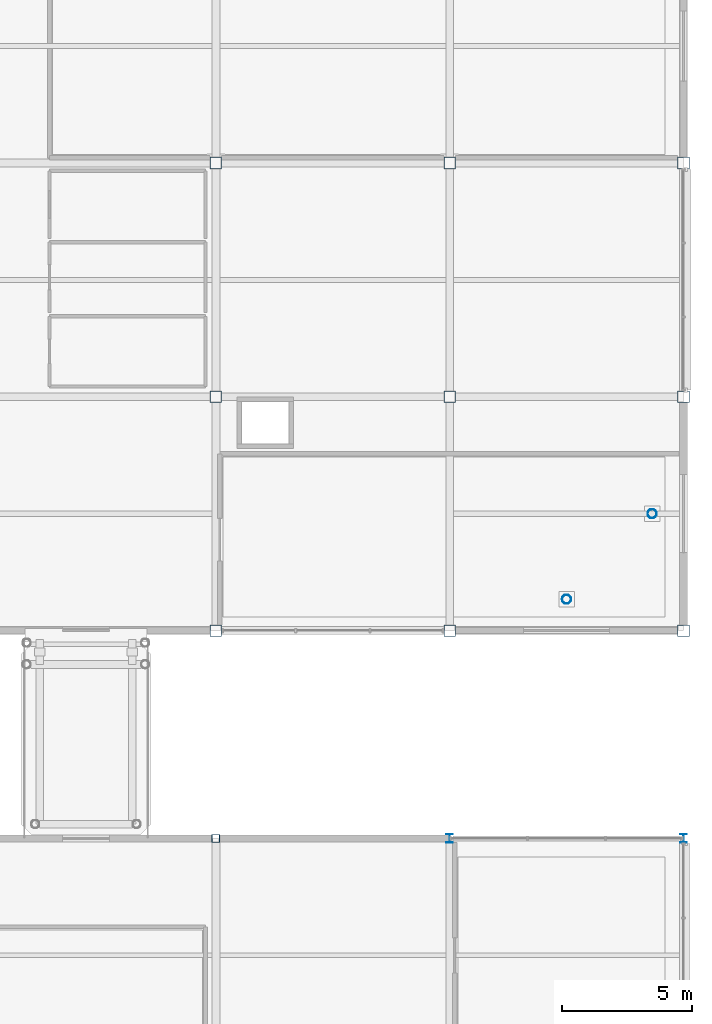
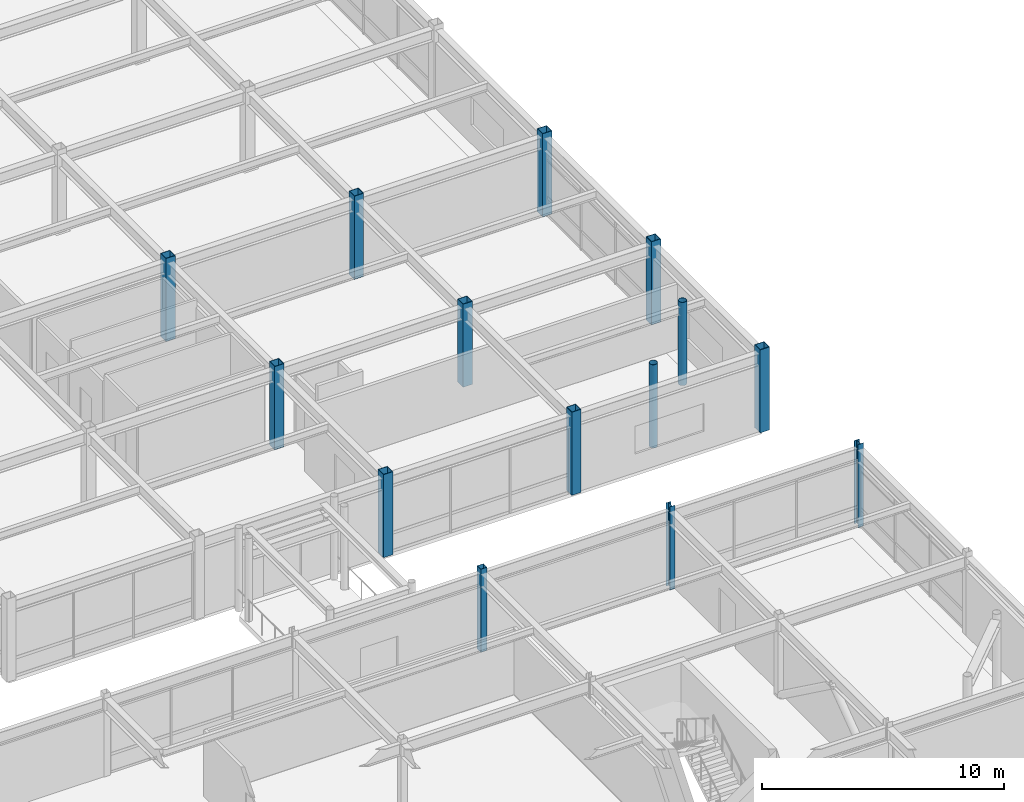
# One storey, part 20 of 108: 14 columns.
"""IFC4 building model written with IfcOpenShell, lengths in metres."""

from ifc_helpers import new_model, si_unit, direction, frame, origin, origin_2d, place, context, subcontext, project, spatial, hollow_rectangle, hollow_circle, i_section, extrude, material, material_profile, profile_set, type_object, element, save


model = new_model("IFC4")

# Units and contexts
model_context = context("Model", 3, precision=1e-05, world=origin(), true_north=direction((0.0, 1.0)))
body_context = subcontext(model_context, "Body", "Model", "MODEL_VIEW")
ifc_project = project(units=[si_unit("LENGTHUNIT", "METRE"), si_unit("AREAUNIT", "SQUARE_METRE"), si_unit("VOLUMEUNIT", "CUBIC_METRE"), si_unit("PLANEANGLEUNIT", "RADIAN"), si_unit("MASSUNIT", "GRAM", prefix="KILO")], contexts=[model_context])

# Site, building, storey
site_placement = place(None, origin())
site = spatial("IfcSite", under=ifc_project, at=site_placement, CompositionType="ELEMENT")
building_placement = place(site_placement, origin())
building = spatial("IfcBuilding", under=site, at=building_placement, Name="Suzunagisa Mobility Hub", CompositionType="ELEMENT")
storey_placement = place(building_placement, frame((0.0, 0.0, 9.300048828125)))
storey = spatial("IfcBuildingStorey", under=building, at=storey_placement, Name="L02", CompositionType="ELEMENT", Elevation=9.300048828125)

# Columns
ifc_material = material(Name="Steel SN490B", Category="steel")
ifc_material_profile_1 = material_profile(ifc_material, i_section(OverallWidth=0.25, OverallDepth=0.340087890625, WebThickness=0.009033203125, FlangeThickness=0.013916015625, FilletRadius=0.010009765625, at=origin_2d()), Name="H-340x250x9x14")
ifc_profile_set_1 = profile_set([ifc_material_profile_1], Name="Steel SN490B")
column_type_1 = type_object("IfcColumnType", Name="Steel Column CL-02 H-340x250x9x14", PredefinedType="COLUMN", material=ifc_profile_set_1)
for number, where, z_axis, x_axis, name in (
    (1, (171.0, 36.0, 0.0), (0.0, 0.0, 1.0), (1.0, 0.0, 0.0), "L02 Column 300"),
    (2, (180.0, 36.0, 0.0), (0.0, 0.0, 1.0), (1.0, 0.0, 0.0), "L02 Column 324"),
):
    element("IfcColumn", number, at=place(storey_placement, frame(where, z_axis=z_axis, x_axis=x_axis)), inside=storey, type_object=column_type_1, Name=name, PredefinedType="COLUMN", context=body_context, shape_type="SweptSolid", body=[
        extrude(i_section(OverallWidth=0.25, OverallDepth=0.340087890625, WebThickness=0.009033203125, FlangeThickness=0.013916015625, FilletRadius=0.010009765625, at=origin_2d()), origin(), (0.0, 0.0, 1.0), 4.199951171875),
    ])
ifc_material_profile_2 = material_profile(ifc_material, hollow_rectangle(XDim=0.300048828125, YDim=0.300048828125, WallThickness=0.011962890625, at=origin_2d()), Name="BCR-300x300x12")
ifc_profile_set_2 = profile_set([ifc_material_profile_2], Name="Steel SN490B")
column_type_2 = type_object("IfcColumnType", Name="Steel Column CL-12 BCR-300x300x12", PredefinedType="COLUMN", material=ifc_profile_set_2)
column_placement = place(storey_placement, frame((162.0, 36.0, 0.0), z_axis=(0.0, 0.0, 1.0), x_axis=(1.0, 0.0, 0.0)))
element("IfcColumn", 3, at=column_placement, inside=storey, type_object=column_type_2, Name="L02 Column 287", PredefinedType="COLUMN", context=body_context, shape_type="SweptSolid", body=[
    extrude(hollow_rectangle(XDim=0.300048828125, YDim=0.300048828125, WallThickness=0.011962890625, at=origin_2d()), origin(), (0.0, 0.0, 1.0), 4.199951171875),
])
ifc_material_profile_3 = material_profile(ifc_material, hollow_rectangle(XDim=0.449951171875, YDim=0.449951171875, WallThickness=0.02197265625, at=origin_2d()), Name="BCR-450x450x22")
ifc_profile_set_3 = profile_set([ifc_material_profile_3], Name="Steel SN490B")
column_type_3 = type_object("IfcColumnType", Name="Steel Column CL-17 BCR-450x450x22", PredefinedType="COLUMN", material=ifc_profile_set_3)
for number, where, z_axis, x_axis, name in (
    (4, (162.0, 44.0, 0.0), (0.0, 0.0, 1.0), (1.0, 0.0, 0.0), "L02 Column 288"),
    (5, (162.0, 53.0, 0.0), (0.0, 0.0, 1.0), (1.0, 0.0, 0.0), "L02 Column 289"),
    (6, (162.0, 62.0, 0.0), (0.0, 0.0, 1.0), (1.0, 0.0, 0.0), "L02 Column 290"),
    (7, (171.0, 44.0, 0.0), (0.0, 0.0, 1.0), (1.0, 0.0, 0.0), "L02 Column 301"),
    (8, (171.0, 53.0, 0.0), (0.0, 0.0, 1.0), (1.0, 0.0, 0.0), "L02 Column 302"),
    (9, (171.0, 62.0, 0.0), (0.0, 0.0, 1.0), (1.0, 0.0, 0.0), "L02 Column 303"),
    (10, (180.0, 44.0, 0.0), (0.0, 0.0, 1.0), (1.0, 0.0, 0.0), "L02 Column 325"),
    (11, (180.0, 53.0, 0.0), (0.0, 0.0, 1.0), (1.0, 0.0, 0.0), "L02 Column 326"),
    (12, (180.0, 62.0, 0.0), (0.0, 0.0, 1.0), (1.0, 0.0, 0.0), "L02 Column 327"),
):
    element("IfcColumn", number, at=place(storey_placement, frame(where, z_axis=z_axis, x_axis=x_axis)), inside=storey, type_object=column_type_3, Name=name, PredefinedType="COLUMN", context=body_context, shape_type="SweptSolid", body=[
        extrude(hollow_rectangle(XDim=0.449951171875, YDim=0.449951171875, WallThickness=0.02197265625, at=origin_2d()), origin(), (0.0, 0.0, 1.0), 4.199951171875),
    ])
ifc_material_profile_4 = material_profile(ifc_material, hollow_circle(Radius=0.177734375, WallThickness=0.0126953125, at=origin_2d()), Name="CHS-355.6x12.7")
ifc_profile_set_4 = profile_set([ifc_material_profile_4], Name="Steel SN490B")
column_type_4 = type_object("IfcColumnType", Name="Steel Column CL-18 CHS-355.6x12.7", PredefinedType="COLUMN", material=ifc_profile_set_4)
for number, where, z_axis, x_axis, name in (
    (13, (175.5, 45.205810546875, 0.0), (0.0, 0.0, 1.0), (1.0, 0.0, 0.0), "L02 Column 312"),
    (14, (178.794189453125, 48.5, 0.0), (0.0, 0.0, 1.0), (1.0, 0.0, 0.0), "L02 Column 318"),
):
    element("IfcColumn", number, at=place(storey_placement, frame(where, z_axis=z_axis, x_axis=x_axis)), inside=storey, type_object=column_type_4, Name=name, PredefinedType="COLUMN", context=body_context, shape_type="SweptSolid", body=[
        extrude(hollow_circle(Radius=0.177734375, WallThickness=0.0126953125, at=origin_2d()), origin(), (0.0, 0.0, 1.0), 4.199951171875),
    ])

save(model, "model.ifc")
